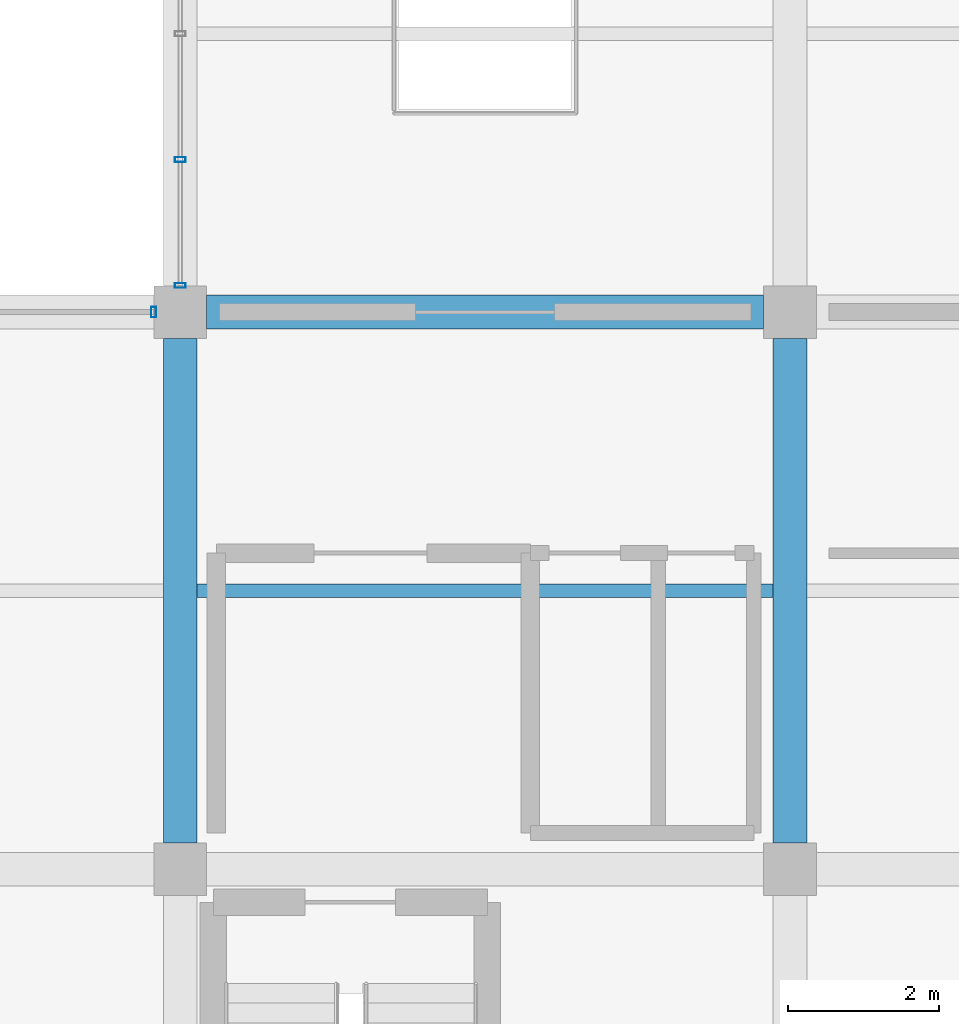
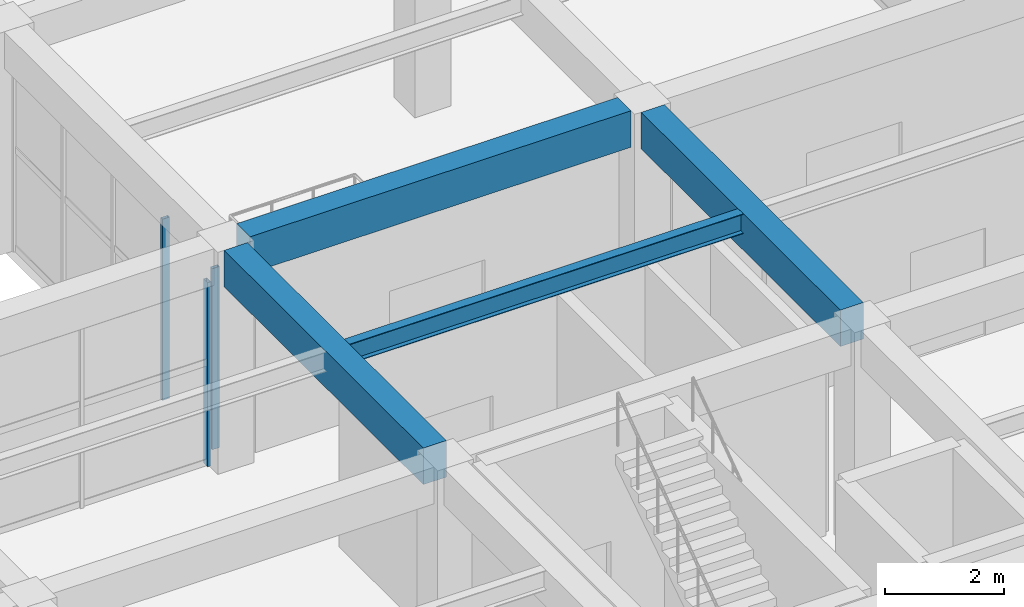
# One storey, part 18 of 161: 4 beams, 3 members, 2 elements without a shape of their own.
"""IFC4 building model written with IfcOpenShell, lengths in metres."""

import ifcopenshell
import ifcopenshell.guid

model = None  # the IFC model being written
_history = None  # IfcOwnerHistory: only IFC2X3 demands one
_inside = {}  # id of a spatial element -> (the spatial element, [elements in it])
_under = {}  # id of a project, library or spatial element -> (it, [spatial elements below it])
_declared = {}  # id of a project -> (the project, [libraries it declares])
_typed = {}  # id of a type object -> (the type object, [elements of that type])
_made_of = {}  # id of a material, layer set ... -> (it, [elements and type objects made of it])


def new_model(schema):
    """Start an empty IFC model of exactly this schema.

    Asked for "IFC4X3", IfcOpenShell would pick the latest addendum, in which some entities
    have other attributes; the version numbers below select the first issue.
    IFC2X3 requires an IfcOwnerHistory on every rooted entity: one is made here for all.
    """
    global model, _history
    if schema == "IFC4X3":
        model = ifcopenshell.file(schema_version=(4, 3, 0, 0))
    else:
        model = ifcopenshell.file(schema=schema)
    _inside.clear()
    _under.clear()
    _declared.clear()
    _typed.clear()
    _made_of.clear()
    _history = None
    if model.schema == "IFC2X3":
        org = make("IfcOrganization", Name="unknown")
        user = make(
            "IfcPersonAndOrganization",
            ThePerson=make("IfcPerson", FamilyName="unknown"),
            TheOrganization=org,
        )
        app = make(
            "IfcApplication",
            ApplicationDeveloper=org,
            Version="unknown",
            ApplicationFullName="unknown",
            ApplicationIdentifier="unknown",
        )
        _history = make(
            "IfcOwnerHistory",
            OwningUser=user,
            OwningApplication=app,
            ChangeAction="ADDED",
            CreationDate=0,
        )
    return model


def make(cls, **values):
    """One entity of the class cls with the attributes given. An attribute that is None is left unset."""
    return model.create_entity(
        cls, **{name: value for name, value in values.items() if value is not None}
    )


def rooted(cls, **values):
    """An entity with a GlobalId (a new one), such as an element, a storey or a relation."""
    return make(cls, GlobalId=ifcopenshell.guid.new(), OwnerHistory=_history, **values)


def si_unit(unit_type, name, prefix=None):
    """IfcSIUnit, for example si_unit("LENGTHUNIT", "METRE", prefix="MILLI")."""
    return make("IfcSIUnit", UnitType=unit_type, Prefix=prefix, Name=name)


def assignment(units):
    """IfcUnitAssignment: the units of a project."""
    return None if units is None else make("IfcUnitAssignment", Units=units)


def point(xyz):
    """IfcCartesianPoint."""
    return None if xyz is None else make("IfcCartesianPoint", Coordinates=xyz)


def direction(xyz):
    """IfcDirection."""
    return None if xyz is None else make("IfcDirection", DirectionRatios=xyz)


def frame(location, z_axis=None, x_axis=None):
    """IfcAxis2Placement3D, a coordinate frame: its origin and axes. An axis left out is left unset."""
    return make(
        "IfcAxis2Placement3D",
        Location=point(location),
        Axis=direction(z_axis),
        RefDirection=direction(x_axis),
    )


def frame_2d(location, x_axis=None):
    """IfcAxis2Placement2D, a coordinate frame in the plane: its origin and x axis."""
    return make(
        "IfcAxis2Placement2D", Location=point(location), RefDirection=direction(x_axis)
    )


def origin():
    """The frame at (0, 0, 0) with its axes left unset."""
    return frame((0.0, 0.0, 0.0))


def origin_2d():
    """The frame at (0, 0) in the plane with its x axis left unset."""
    return frame_2d((0.0, 0.0))


def place(relative_to, where):
    """IfcLocalPlacement: puts the frame where relative to a parent placement (None: the world)."""
    return make(
        "IfcLocalPlacement", PlacementRelTo=relative_to, RelativePlacement=where
    )


def context(
    kind, dimensions, precision=None, world=None, true_north=None, identifier=None
):
    """IfcGeometricRepresentationContext, for example the 3D "Model" context."""
    return make(
        "IfcGeometricRepresentationContext",
        ContextIdentifier=identifier,
        ContextType=kind,
        CoordinateSpaceDimension=dimensions,
        Precision=precision,
        WorldCoordinateSystem=world,
        TrueNorth=true_north,
    )


def subcontext(parent, identifier, kind, view, scale=None):
    """IfcGeometricRepresentationSubContext, for example "Body" below "Model"."""
    return make(
        "IfcGeometricRepresentationSubContext",
        ContextIdentifier=identifier,
        ContextType=kind,
        ParentContext=parent,
        TargetScale=scale,
        TargetView=view,
    )


def project(units=None, contexts=None):
    """IfcProject with its units and contexts."""
    return rooted(
        "IfcProject",
        Name="project",
        RepresentationContexts=contexts,
        UnitsInContext=assignment(units),
    )


def spatial(cls, under=None, at=None, **own):
    """A site, building, storey or space (cls), placed at a placement, below another one or the project."""
    s = rooted(cls, ObjectPlacement=at, **own)
    if under is not None:
        _under.setdefault(under.id(), (under, []))[1].append(s)
    return s


def profile(cls, at=None, kind="AREA", **sizes):
    """A parametric profile (cls). Its sizes go by their IFC names, for example OverallWidth=200.0."""
    return make(cls, ProfileType=kind, Position=at, **sizes)


def rectangle(**sizes):
    """IfcRectangleProfileDef."""
    return profile("IfcRectangleProfileDef", **sizes)


def hollow_rectangle(**sizes):
    """IfcRectangleHollowProfileDef."""
    return profile("IfcRectangleHollowProfileDef", **sizes)


def i_section(**sizes):
    """IfcIShapeProfileDef."""
    return profile("IfcIShapeProfileDef", **sizes)


def extrude(swept, where, along, depth):
    """IfcExtrudedAreaSolid: the profile swept, set in the frame where, extruded along a direction by depth."""
    return make(
        "IfcExtrudedAreaSolid",
        SweptArea=swept,
        Position=where,
        ExtrudedDirection=direction(along),
        Depth=depth,
    )


def shape(context_of_items, identifier, shape_type, items):
    """IfcShapeRepresentation: the items that make up one representation, for example the "Body"."""
    return make(
        "IfcShapeRepresentation",
        ContextOfItems=context_of_items,
        RepresentationIdentifier=identifier,
        RepresentationType=shape_type,
        Items=items,
    )


def material(Name=None, Category=None):
    """IfcMaterial."""
    return make("IfcMaterial", Name=Name, Category=Category)


def material_profile(
    of_material, cross_section, Name=None, Category=None, Priority=None
):
    """IfcMaterialProfile: a cross section and its material."""
    return make(
        "IfcMaterialProfile",
        Name=Name,
        Material=of_material,
        Profile=cross_section,
        Priority=Priority,
        Category=Category,
    )


def profile_set(profiles, Name=None, composite=None):
    """IfcMaterialProfileSet."""
    return make(
        "IfcMaterialProfileSet",
        Name=Name,
        MaterialProfiles=profiles,
        CompositeProfile=composite,
    )


def made_of(thing, what):
    """Note that an element or type object is made of a material, layer set ...; save() writes the relation."""
    if what is not None:
        _made_of.setdefault(what.id(), (what, []))[1].append(thing)
    return thing


def type_object(cls, material=None, **own):
    """A type object (cls), such as IfcWallType, which elements share."""
    return made_of(rooted(cls, **own), material)


def element(
    cls,
    number,
    at=None,
    inside=None,
    cuts=None,
    type_object=None,
    material=None,
    context=None,
    identifier="Body",
    shape_type=None,
    held_by="IfcProductDefinitionShape",
    body=None,
    shapes=None,
    **own,
):
    """One element of the class cls, such as IfcWall. Its Tag is "e" and its number.

    at: its placement. inside: the storey or other place that contains it. cuts: it is an
    opening in that element (IfcRelVoidsElement). A single representation is given by context,
    identifier, shape_type and body (its items); several are given by shapes. held_by: the class
    of the entity that holds the representations. save() writes the other relations.
    """
    e = rooted(cls, Tag="e%d" % number, ObjectPlacement=at, **own)
    if body is not None:
        shapes = [shape(context, identifier, shape_type, body)]
    if shapes is not None:
        e.Representation = make(held_by, Representations=shapes)
    if inside is not None:
        _inside.setdefault(inside.id(), (inside, []))[1].append(e)
    if cuts is not None:
        rooted(
            "IfcRelVoidsElement", RelatingBuildingElement=cuts, RelatedOpeningElement=e
        )
    if type_object is not None:
        _typed.setdefault(type_object.id(), (type_object, []))[1].append(e)
    return made_of(e, material)


def aggregate(whole, parts):
    """IfcRelAggregates: a whole, such as a stair, and the parts it consists of."""
    return rooted("IfcRelAggregates", RelatingObject=whole, RelatedObjects=parts)


def save(model, path):
    """Write the relations noted so far, then the file.

    IfcRelAggregates (storeys below a building ...), IfcRelContainedInSpatialStructure (elements
    in a storey), IfcRelDefinesByType, IfcRelAssociatesMaterial and IfcRelDeclares: one each for
    every whole, place, type object, material and project.
    """
    for whole, parts in _under.values():
        aggregate(whole, parts)
    for where, things in _inside.values():
        rooted(
            "IfcRelContainedInSpatialStructure",
            RelatedElements=things,
            RelatingStructure=where,
        )
    for kind, things in _typed.values():
        rooted("IfcRelDefinesByType", RelatedObjects=things, RelatingType=kind)
    for what, things in _made_of.values():
        rooted("IfcRelAssociatesMaterial", RelatedObjects=things, RelatingMaterial=what)
    for by, libraries in _declared.values():
        rooted("IfcRelDeclares", RelatingContext=by, RelatedDefinitions=libraries)
    model.write(path)


model = new_model("IFC4")

# Units and contexts
model_context = context("Model", 3, precision=1e-05, world=origin(), true_north=direction((0.0, 1.0)))
body_context = subcontext(model_context, "Body", "Model", "MODEL_VIEW")
ifc_project = project(units=[si_unit("LENGTHUNIT", "METRE"), si_unit("AREAUNIT", "SQUARE_METRE"), si_unit("VOLUMEUNIT", "CUBIC_METRE"), si_unit("PLANEANGLEUNIT", "RADIAN"), si_unit("MASSUNIT", "GRAM", prefix="KILO")], contexts=[model_context])

# Site, building, storey
site_placement = place(None, origin())
site = spatial("IfcSite", under=ifc_project, at=site_placement, CompositionType="ELEMENT")
building_placement = place(site_placement, origin())
building = spatial("IfcBuilding", under=site, at=building_placement, Name="Cimatlan Art Gallery", CompositionType="ELEMENT")
storey_placement = place(building_placement, frame((0.0, 0.0, 5.39990234375)))
storey = spatial("IfcBuildingStorey", under=building, at=storey_placement, Name="L01", CompositionType="ELEMENT", Elevation=5.39990234375)

# Beams
ifc_material_1 = material(Name="Concrete C40/50", Category="concrete")
ifc_material_profile_1 = material_profile(ifc_material_1, rectangle(XDim=0.449951171875, YDim=0.75, at=origin_2d()), Name="RC450X750")
ifc_profile_set_1 = profile_set([ifc_material_profile_1], Name="Concrete C40/50")
beam_type_1 = type_object("IfcBeamType", Name="BM-RC-450X750", PredefinedType="BEAM", material=ifc_profile_set_1)
for number, where, z_axis, x_axis, name in (
    (1, (34.39990234375, 31.64990234375, 4.18505859375), (0.0, 1.0, 0.0), (-1.0, 0.0, 0.0), "BM-Y-L01-04-04"),
    (2, (42.5, 31.64990234375, 4.18505859375), (0.0, 1.0, 0.0), (-1.0, 0.0, 0.0), "BM-Y-L01-05-04"),
):
    element("IfcBeam", number, at=place(storey_placement, frame(where, z_axis=z_axis, x_axis=x_axis)), inside=storey, type_object=beam_type_1, Name=name, PredefinedType="BEAM", context=body_context, shape_type="SweptSolid", body=[
        extrude(rectangle(XDim=0.449951171875, YDim=0.75, at=origin_2d()), origin(), (0.0, 0.0, 1.0), 6.7001953125),
    ])
beam_1_placement = place(storey_placement, frame((34.75, 38.699951171875, 4.18505859375), z_axis=(1.0, 0.0, 0.0), x_axis=(0.0, 1.0, 0.0)))
element("IfcBeam", 3, at=beam_1_placement, inside=storey, type_object=beam_type_1, Name="BM-X-L01-04-05", PredefinedType="BEAM", context=body_context, shape_type="SweptSolid", body=[
    extrude(rectangle(XDim=0.449951171875, YDim=0.75, at=origin_2d()), origin(), (0.0, 0.0, 1.0), 7.39990234375),
])
ifc_material_2 = material(Name="Steel ASTM A992 Grade 50", Category="steel")
ifc_material_profile_2 = material_profile(ifc_material_2, i_section(OverallWidth=0.177978515625, OverallDepth=0.406982421875, WebThickness=0.0078125, FlangeThickness=0.0126953125, at=origin_2d()), Name="W16X40")
ifc_profile_set_2 = profile_set([ifc_material_profile_2], Name="Steel ASTM A992 Grade 50")
beam_type_2 = type_object("IfcBeamType", Name="BM-STL-W16X40", PredefinedType="JOIST", material=ifc_profile_set_2)
beam_2_placement = place(storey_placement, frame((34.625, 35.0, 4.356689453125), z_axis=(1.0, 0.0, 0.0), x_axis=(0.0, 1.0, 0.0)))
element("IfcBeam", 4, at=beam_2_placement, inside=storey, type_object=beam_type_2, Name="JST-L01-04-04", PredefinedType="JOIST", context=body_context, shape_type="SweptSolid", body=[
    extrude(i_section(OverallWidth=0.177978515625, OverallDepth=0.406982421875, WebThickness=0.0078125, FlangeThickness=0.0126953125, at=origin_2d()), origin(), (0.0, 0.0, 1.0), 7.64990234375),
])

# Curtain wall, member
ifc_material_3 = material(Name="Anodised bronze unitised curtain wall")
curtain_wall_type_1 = type_object("IfcCurtainWallType", Name="CW-V-07392X03780-B3", PredefinedType="NOTDEFINED", material=ifc_material_3)
curtain_wall_1_placement = place(storey_placement, origin())
curtain_wall_1 = element("IfcCurtainWall", 5, at=curtain_wall_1_placement, inside=storey, type_object=curtain_wall_type_1, Name="CW-L01-03-04-N", PredefinedType="NOTDEFINED")
ifc_material_4 = material(Name="Anodised bronze aluminium 6063-T6", Category="aluminium")
ifc_material_profile_3 = material_profile(ifc_material_4, hollow_rectangle(XDim=0.06494140625, YDim=0.139892578125, WallThickness=0.00390625, at=origin_2d()), Name="ALU65X140X4")
ifc_profile_set_3 = profile_set([ifc_material_profile_3], Name="Anodised bronze aluminium 6063-T6")
member_type = type_object("IfcMemberType", Name="CW-MUL-140", PredefinedType="MULLION", material=ifc_profile_set_3)
member_1_placement = place(storey_placement, frame((34.0458984375, 38.699951171875, 0.0), z_axis=(0.0, 0.0, 1.0), x_axis=(1.0, 0.0, 0.0)))
member_1 = element("IfcMember", 6, at=member_1_placement, type_object=member_type, Name="CW-L01-03-04-N-M4", PredefinedType="MULLION", context=body_context, shape_type="SweptSolid", body=[
    extrude(hollow_rectangle(XDim=0.06494140625, YDim=0.139892578125, WallThickness=0.00390625, at=origin_2d()), origin(), (0.0, 0.0, 1.0), 3.780029296875),
])
aggregate(curtain_wall_1, [member_1])

# Curtain wall, members
curtain_wall_type_2 = type_object("IfcCurtainWallType", Name="CW-V-06692X03720-B4", PredefinedType="NOTDEFINED", material=ifc_material_3)
curtain_wall_2_placement = place(storey_placement, origin())
curtain_wall_2 = element("IfcCurtainWall", 7, at=curtain_wall_2_placement, inside=storey, type_object=curtain_wall_type_2, Name="CW-L01-04-05-W", PredefinedType="NOTDEFINED")
member_2_placement = place(storey_placement, frame((34.39990234375, 39.053955078125, 0.0), z_axis=(0.0, 0.0, 1.0), x_axis=(0.0, 1.0, 0.0)))
member_2 = element("IfcMember", 8, at=member_2_placement, type_object=member_type, Name="CW-L01-04-05-W-M1", PredefinedType="MULLION", context=body_context, shape_type="SweptSolid", body=[
    extrude(hollow_rectangle(XDim=0.06494140625, YDim=0.139892578125, WallThickness=0.00390625, at=origin_2d()), origin(), (0.0, 0.0, 1.0), 3.72021484375),
])
member_3_placement = place(storey_placement, frame((34.39990234375, 40.72705078125, 0.0), z_axis=(0.0, 0.0, 1.0), x_axis=(0.0, 1.0, 0.0)))
member_3 = element("IfcMember", 9, at=member_3_placement, type_object=member_type, Name="CW-L01-04-05-W-M2", PredefinedType="MULLION", context=body_context, shape_type="SweptSolid", body=[
    extrude(hollow_rectangle(XDim=0.06494140625, YDim=0.139892578125, WallThickness=0.00390625, at=origin_2d()), origin(), (0.0, 0.0, 1.0), 3.72021484375),
])
aggregate(curtain_wall_2, [member_2, member_3])

save(model, "model.ifc")
